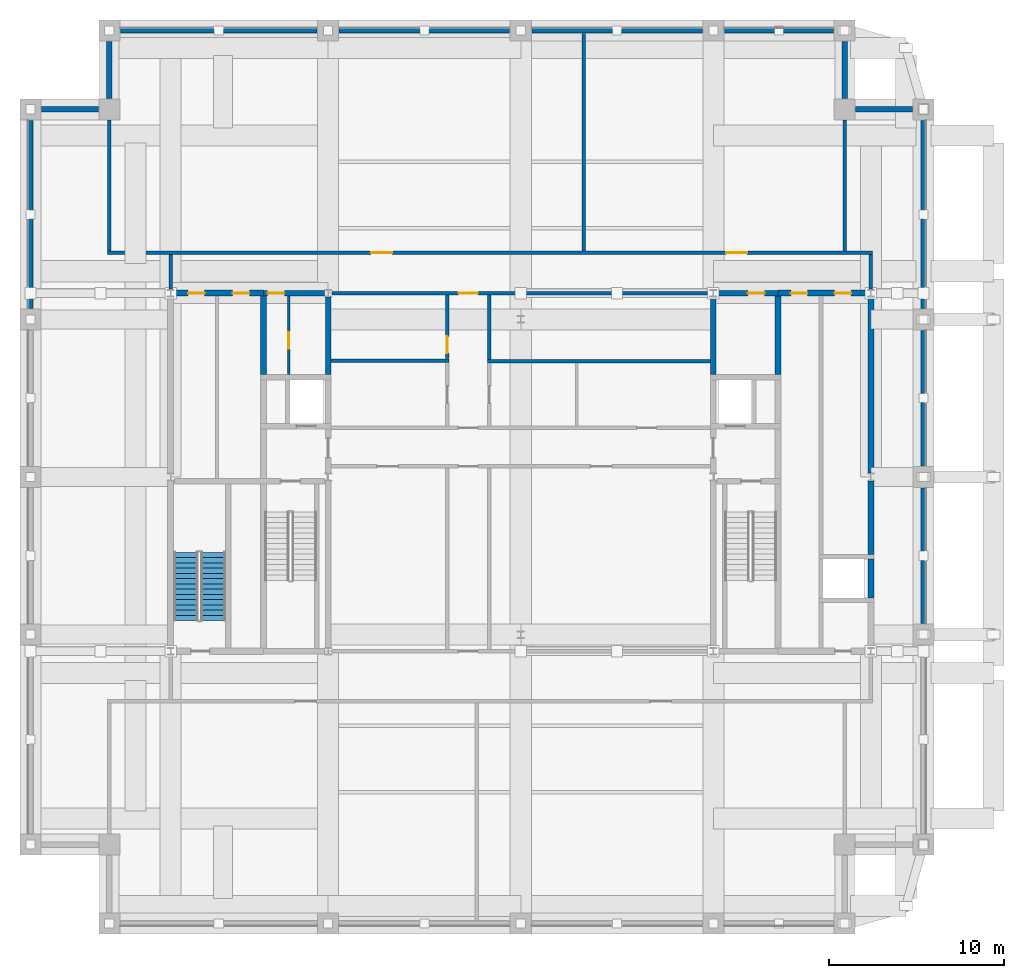
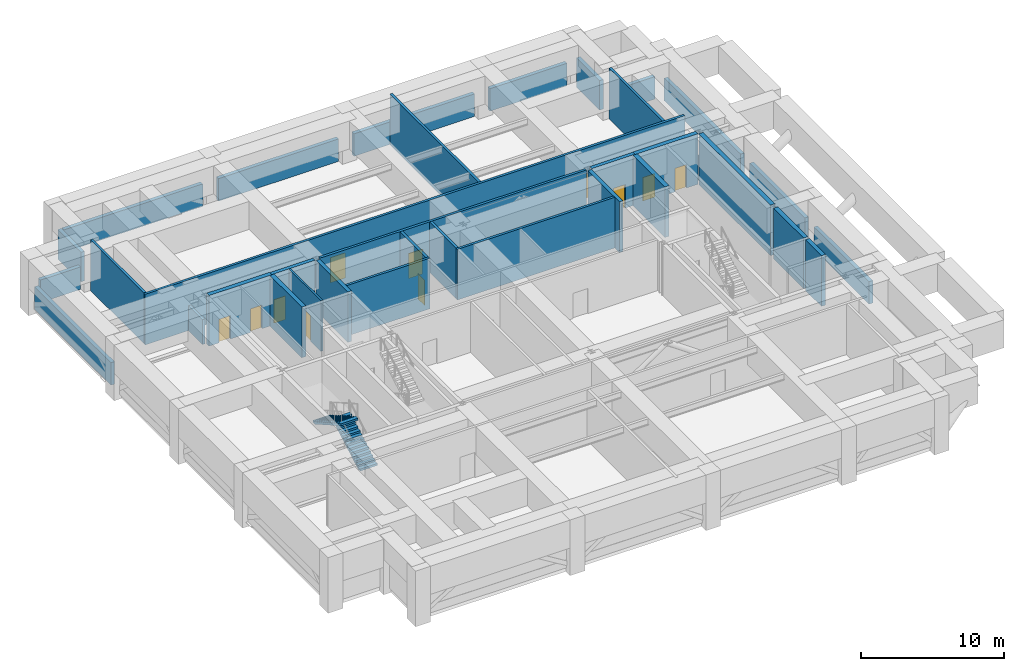
# One storey, part 5 of 10: 35 walls, 11 doors, 2 stair flights, 11 openings, 1 element without a shape of its own.
"""IFC4 building model written with IfcOpenShell, lengths in metres."""

from ifc_helpers import new_model, si_unit, direction, frame, frame_2d, origin, place, context, subcontext, project, spatial, polyline, rectangle, outline, extrude, material, layer, layer_set, type_object, element, fill, aggregate, save


model = new_model("IFC4")

# Units and contexts
model_context = context("Model", 3, precision=1e-05, world=origin(), true_north=direction((0.0, 1.0)))
body_context = subcontext(model_context, "Body", "Model", "MODEL_VIEW")
ifc_project = project(units=[si_unit("LENGTHUNIT", "METRE"), si_unit("AREAUNIT", "SQUARE_METRE"), si_unit("VOLUMEUNIT", "CUBIC_METRE"), si_unit("PLANEANGLEUNIT", "RADIAN"), si_unit("MASSUNIT", "GRAM", prefix="KILO")], contexts=[model_context])

# Site, building, storey
site_placement = place(None, origin())
site = spatial("IfcSite", under=ifc_project, at=site_placement, CompositionType="ELEMENT")
building_placement = place(site_placement, origin())
building = spatial("IfcBuilding", under=site, at=building_placement, Name="Zulmaris Gate Convention Tower", CompositionType="ELEMENT")
storey_placement = place(building_placement, frame((0.0, 0.0, 153.47998046875)))
storey = spatial("IfcBuildingStorey", under=building, at=storey_placement, Name="L39", CompositionType="ELEMENT", Elevation=153.47998046875)

# Wall, opening, door
ifc_material_1 = material(Name="Concrete C50/60", Category="concrete")
ifc_layer_1 = layer(ifc_material_1, 0.300048828125, Name="Concrete C50/60")
ifc_layer_set_1 = layer_set([ifc_layer_1], Name="Concrete C50/60")
wall_type_1 = type_object("IfcWallType", Name="CORE-300", PredefinedType="SHEAR", material=ifc_layer_set_1)
wall_1_placement = place(storey_placement, frame((-14.699951171875, 10.5, 0.0), z_axis=(0.0, 0.0, 1.0), x_axis=(1.0, 0.0, 0.0)))
wall_1 = element("IfcWall", 1, at=wall_1_placement, inside=storey, type_object=wall_type_1, Name="WL-L39-014", PredefinedType="SHEAR", context=body_context, shape_type="SweptSolid", body=[
    extrude(rectangle(XDim=3.489990234375, YDim=0.300048828125, at=frame_2d((1.7451171875, 0.0))), origin(), (0.0, 0.0, 1.0), 4.334716796875),
])
opening_1_placement = place(wall_1_placement, frame((0.2451171875, 0.0, 0.0)))
opening_1 = element("IfcOpeningElement", 2, at=opening_1_placement, cuts=wall_1, Name="Opening D-25", PredefinedType="OPENING", context=body_context, shape_type="SweptSolid", body=[
    extrude(rectangle(XDim=0.949951171875, YDim=2.02001953125, at=frame_2d((0.47509765625, 1.010009765625))), frame((0.0, 0.16015625, 0.0), z_axis=(0.0, -1.0, 0.0), x_axis=(1.0, 0.0, 0.0)), (0.0, 0.0, 1.0), 0.320068359375),
])
ifc_material_2 = material(Name="Fire-Rated Steel", Category="steel")
door_type_1 = type_object("IfcDoorType", Name="DR-950-LOW-FD", OperationType="NOTDEFINED", PredefinedType="DOOR", material=ifc_material_2)
door_1_placement = place(opening_1_placement, origin())
door_1 = element("IfcDoor", 3, at=door_1_placement, inside=storey, type_object=door_type_1, Name="L39 Core Mail Room Door 07", OperationType="SINGLE_SWING_LEFT", OverallHeight=2.02001953125, OverallWidth=0.949951171875, PredefinedType="DOOR", context=body_context, shape_type="SweptSolid", body=[
    extrude(rectangle(XDim=0.949951171875, YDim=2.02001953125, at=frame_2d((0.47509765625, 1.010009765625))), frame((0.0, 0.02490234375, 0.0), z_axis=(0.0, -1.0, 0.0), x_axis=(1.0, 0.0, 0.0)), (0.0, 0.0, 1.0), 0.050048828125),
])
fill(opening_1, door_1)

wall_2_placement = place(storey_placement, frame((11.2099609375, 10.5, 0.0), z_axis=(0.0, 0.0, 1.0), x_axis=(1.0, 0.0, 0.0)))
wall_2 = element("IfcWall", 4, at=wall_2_placement, inside=storey, type_object=wall_type_1, Name="WL-L39-015", PredefinedType="SHEAR", context=body_context, shape_type="SweptSolid", body=[
    extrude(rectangle(XDim=3.489990234375, YDim=0.300048828125, at=frame_2d((1.7451171875, 0.0))), origin(), (0.0, 0.0, 1.0), 4.334716796875),
])
opening_2_placement = place(wall_2_placement, frame((1.764892578125, 0.0, 0.0)))
opening_2 = element("IfcOpeningElement", 5, at=opening_2_placement, cuts=wall_2, Name="Opening D-25", PredefinedType="OPENING", context=body_context, shape_type="SweptSolid", body=[
    extrude(rectangle(XDim=0.949951171875, YDim=2.02001953125, at=frame_2d((0.47509765625, 1.010009765625))), frame((0.0, 0.16015625, 0.0), z_axis=(0.0, -1.0, 0.0), x_axis=(1.0, 0.0, 0.0)), (0.0, 0.0, 1.0), 0.320068359375),
])
door_2_placement = place(opening_2_placement, origin())
door_2 = element("IfcDoor", 6, at=door_2_placement, inside=storey, type_object=door_type_1, Name="L39 Core Tea Pantry Door 09", OperationType="SINGLE_SWING_LEFT", OverallHeight=2.02001953125, OverallWidth=0.949951171875, PredefinedType="DOOR", context=body_context, shape_type="SweptSolid", body=[
    extrude(rectangle(XDim=0.949951171875, YDim=2.02001953125, at=frame_2d((0.47509765625, 1.010009765625))), frame((0.0, 0.02490234375, 0.0), z_axis=(0.0, -1.0, 0.0), x_axis=(1.0, 0.0, 0.0)), (0.0, 0.0, 1.0), 0.050048828125),
])
fill(opening_2, door_2)

# Walls
for number, where, z_axis, x_axis, name in (
    (7, (-11.0, 5.85205078125, 0.0), (0.0, 0.0, 1.0), (0.0, 1.0, 0.0), "WL-L39-037"),
    (8, (11.0, 5.85205078125, 0.0), (0.0, 0.0, 1.0), (0.0, 1.0, 0.0), "WL-L39-041"),
):
    element("IfcWall", number, at=place(storey_placement, frame(where, z_axis=z_axis, x_axis=x_axis)), inside=storey, type_object=wall_type_1, Name=name, PredefinedType="SHEAR", context=body_context, shape_type="SweptSolid", body=[
        extrude(rectangle(XDim=4.426513671875, YDim=0.300048828125, at=frame_2d((2.21337890625, 0.0))), origin(), (0.0, 0.0, 1.0), 4.334716796875),
    ])

# Wall, openings, doors
ifc_material_3 = material(Name="Concrete C55/67", Category="concrete")
ifc_layer_2 = layer(ifc_material_3, 0.35009765625, Name="Concrete C55/67")
ifc_layer_set_2 = layer_set([ifc_layer_2], Name="Concrete C55/67")
wall_type_2 = type_object("IfcWallType", Name="CORE-350", PredefinedType="SHEAR", material=ifc_layer_set_2)
wall_3_placement = place(storey_placement, frame((-19.7900390625, 10.5, 0.0), z_axis=(0.0, 0.0, 1.0), x_axis=(1.0, 0.0, 0.0)))
wall_3 = element("IfcWall", 9, at=wall_3_placement, inside=storey, type_object=wall_type_2, Name="WL-L39-013", PredefinedType="SHEAR", context=body_context, shape_type="SweptSolid", body=[
    extrude(rectangle(XDim=5.090087890625, YDim=0.35009765625, at=frame_2d((2.544921875, 0.0))), origin(), (0.0, 0.0, 1.0), 4.334716796875),
])
opening_3_placement = place(wall_3_placement, frame((0.7900390625, 0.0, 0.0)))
opening_3 = element("IfcOpeningElement", 10, at=opening_3_placement, cuts=wall_3, Name="Opening D-25", PredefinedType="OPENING", context=body_context, shape_type="SweptSolid", body=[
    extrude(rectangle(XDim=0.949951171875, YDim=2.02001953125, at=frame_2d((0.47509765625, 1.010009765625))), frame((0.0, 0.18505859375, 0.0), z_axis=(0.0, -1.0, 0.0), x_axis=(1.0, 0.0, 0.0)), (0.0, 0.0, 1.0), 0.3701171875),
])
opening_4_placement = place(wall_3_placement, frame((3.340087890625, 0.0, 0.0)))
opening_4 = element("IfcOpeningElement", 11, at=opening_4_placement, cuts=wall_3, Name="Opening D-25", PredefinedType="OPENING", context=body_context, shape_type="SweptSolid", body=[
    extrude(rectangle(XDim=0.949951171875, YDim=2.02001953125, at=frame_2d((0.47509765625, 1.010009765625))), frame((0.0, 0.18505859375, 0.0), z_axis=(0.0, -1.0, 0.0), x_axis=(1.0, 0.0, 0.0)), (0.0, 0.0, 1.0), 0.3701171875),
])
door_3_placement = place(opening_3_placement, origin())
door_3 = element("IfcDoor", 12, at=door_3_placement, inside=storey, type_object=door_type_1, Name="L39 Server Room Door 11", OperationType="SINGLE_SWING_LEFT", OverallHeight=2.02001953125, OverallWidth=0.949951171875, PredefinedType="DOOR", context=body_context, shape_type="SweptSolid", body=[
    extrude(rectangle(XDim=0.949951171875, YDim=2.02001953125, at=frame_2d((0.47509765625, 1.010009765625))), frame((0.0, 0.02490234375, 0.0), z_axis=(0.0, -1.0, 0.0), x_axis=(1.0, 0.0, 0.0)), (0.0, 0.0, 1.0), 0.050048828125),
])
fill(opening_3, door_3)
door_4_placement = place(opening_4_placement, origin())
door_4 = element("IfcDoor", 13, at=door_4_placement, inside=storey, type_object=door_type_1, Name="L39 Reclaimed Pantry Door 12", OperationType="SINGLE_SWING_RIGHT", OverallHeight=2.02001953125, OverallWidth=0.949951171875, PredefinedType="DOOR", context=body_context, shape_type="SweptSolid", body=[
    extrude(rectangle(XDim=0.949951171875, YDim=2.02001953125, at=frame_2d((0.47509765625, 1.010009765625))), frame((0.0, 0.02490234375, 0.0), z_axis=(0.0, -1.0, 0.0), x_axis=(1.0, 0.0, 0.0)), (0.0, 0.0, 1.0), 0.050048828125),
])
fill(opening_4, door_4)

wall_4_placement = place(storey_placement, frame((14.699951171875, 10.5, 0.0), z_axis=(0.0, 0.0, 1.0), x_axis=(1.0, 0.0, 0.0)))
wall_4 = element("IfcWall", 14, at=wall_4_placement, inside=storey, type_object=wall_type_2, Name="WL-L39-016", PredefinedType="SHEAR", context=body_context, shape_type="SweptSolid", body=[
    extrude(rectangle(XDim=5.090087890625, YDim=0.35009765625, at=frame_2d((2.544921875, 0.0))), origin(), (0.0, 0.0, 1.0), 4.334716796875),
])
opening_5_placement = place(wall_4_placement, frame((0.72509765625, 0.0, 0.0)))
opening_5 = element("IfcOpeningElement", 15, at=opening_5_placement, cuts=wall_4, Name="Opening D-25", PredefinedType="OPENING", context=body_context, shape_type="SweptSolid", body=[
    extrude(rectangle(XDim=0.949951171875, YDim=2.02001953125, at=frame_2d((0.47509765625, 1.010009765625))), frame((0.0, 0.18505859375, 0.0), z_axis=(0.0, -1.0, 0.0), x_axis=(1.0, 0.0, 0.0)), (0.0, 0.0, 1.0), 0.3701171875),
])
opening_6_placement = place(wall_4_placement, frame((3.22509765625, 0.0, 0.0)))
opening_6 = element("IfcOpeningElement", 16, at=opening_6_placement, cuts=wall_4, Name="Opening D-25", PredefinedType="OPENING", context=body_context, shape_type="SweptSolid", body=[
    extrude(rectangle(XDim=0.949951171875, YDim=2.02001953125, at=frame_2d((0.47509765625, 1.010009765625))), frame((0.0, 0.18505859375, 0.0), z_axis=(0.0, -1.0, 0.0), x_axis=(1.0, 0.0, 0.0)), (0.0, 0.0, 1.0), 0.3701171875),
])
door_5_placement = place(opening_5_placement, origin())
door_5 = element("IfcDoor", 17, at=door_5_placement, inside=storey, type_object=door_type_1, Name="L39 Mid-Rise Motor Room Door 13", OperationType="SINGLE_SWING_LEFT", OverallHeight=2.02001953125, OverallWidth=0.949951171875, PredefinedType="DOOR", context=body_context, shape_type="SweptSolid", body=[
    extrude(rectangle(XDim=0.949951171875, YDim=2.02001953125, at=frame_2d((0.47509765625, 1.010009765625))), frame((0.0, 0.02490234375, 0.0), z_axis=(0.0, -1.0, 0.0), x_axis=(1.0, 0.0, 0.0)), (0.0, 0.0, 1.0), 0.050048828125),
])
fill(opening_5, door_5)
door_6_placement = place(opening_6_placement, origin())
door_6 = element("IfcDoor", 18, at=door_6_placement, inside=storey, type_object=door_type_1, Name="L39 East Vent Plant Door 14", OperationType="SINGLE_SWING_RIGHT", OverallHeight=2.02001953125, OverallWidth=0.949951171875, PredefinedType="DOOR", context=body_context, shape_type="SweptSolid", body=[
    extrude(rectangle(XDim=0.949951171875, YDim=2.02001953125, at=frame_2d((0.47509765625, 1.010009765625))), frame((0.0, 0.02490234375, 0.0), z_axis=(0.0, -1.0, 0.0), x_axis=(1.0, 0.0, 0.0)), (0.0, 0.0, 1.0), 0.050048828125),
])
fill(opening_6, door_6)

# Walls
for number, where, z_axis, x_axis, name in (
    (19, (-14.699951171875, 5.85205078125, 0.0), (0.0, 0.0, 1.0), (0.0, 1.0, 0.0), "WL-L39-031"),
    (20, (14.699951171875, 5.85205078125, 0.0), (0.0, 0.0, 1.0), (0.0, 1.0, 0.0), "WL-L39-047"),
):
    element("IfcWall", number, at=place(storey_placement, frame(where, z_axis=z_axis, x_axis=x_axis)), inside=storey, type_object=wall_type_2, Name=name, PredefinedType="SHEAR", context=body_context, shape_type="SweptSolid", body=[
        extrude(rectangle(XDim=4.470947265625, YDim=0.35009765625, at=frame_2d((2.2353515625, 0.0))), origin(), (0.0, 0.0, 1.0), 4.334716796875),
    ])
wall_5_placement = place(storey_placement, frame((20.0, -6.923095703125, 0.0), z_axis=(0.0, 0.0, 1.0), x_axis=(0.0, 1.0, 0.0)))
element("IfcWall", 21, at=wall_5_placement, inside=storey, type_object=wall_type_2, Name="WL-L39-052", PredefinedType="SHEAR", context=body_context, shape_type="SweptSolid", body=[
    extrude(rectangle(XDim=2.24609375, YDim=0.35009765625, at=frame_2d((1.123046875, 0.0))), origin(), (0.0, 0.0, 1.0), 4.334716796875),
])
wall_6_placement = place(storey_placement, frame((20.0, -4.423095703125, 0.0), z_axis=(0.0, 0.0, 1.0), x_axis=(0.0, 1.0, 0.0)))
element("IfcWall", 22, at=wall_6_placement, inside=storey, type_object=wall_type_2, Name="WL-L39-053", PredefinedType="SHEAR", context=body_context, shape_type="SweptSolid", body=[
    extrude(rectangle(XDim=4.20166015625, YDim=0.35009765625, at=frame_2d((2.100830078125, 0.0))), origin(), (0.0, 0.0, 1.0), 4.334716796875),
])
wall_7_placement = place(storey_placement, frame((20.0, 0.221435546875, 0.0), z_axis=(0.0, 0.0, 1.0), x_axis=(0.0, 1.0, 0.0)))
element("IfcWall", 23, at=wall_7_placement, inside=storey, type_object=wall_type_2, Name="WL-L39-053S1", PredefinedType="SHEAR", context=body_context, shape_type="SweptSolid", body=[
    extrude(rectangle(XDim=10.05712890625, YDim=0.35009765625, at=frame_2d((5.028564453125, 0.0))), origin(), (0.0, 0.0, 1.0), 4.334716796875),
])

# Wall, opening, door
ifc_material_4 = material(Name="Gypsum Metal Stud Partition")
ifc_layer_3 = layer(ifc_material_4, 0.14990234375, Name="Gypsum Metal Stud Partition")
ifc_layer_set_3 = layer_set([ifc_layer_3], Name="Gypsum Metal Stud Partition")
wall_type_3 = type_object("IfcWallType", Name="PART-150", PredefinedType="PARTITIONING", material=ifc_layer_set_3)
wall_8_placement = place(storey_placement, frame((-13.25, 5.85302734375, 0.0), z_axis=(0.0, 0.0, 1.0), x_axis=(0.0, 1.0, 0.0)))
wall_8 = element("IfcWall", 24, at=wall_8_placement, inside=storey, type_object=wall_type_3, Name="WL-L39-059", PredefinedType="PARTITIONING", context=body_context, shape_type="SweptSolid", body=[
    extrude(rectangle(XDim=4.493896484375, YDim=0.14990234375, at=frame_2d((2.2470703125, 0.0))), origin(), (0.0, 0.0, 1.0), 4.334716796875),
])
opening_7_placement = place(wall_8_placement, frame((1.471923828125, 0.0, 0.0)))
opening_7 = element("IfcOpeningElement", 25, at=opening_7_placement, cuts=wall_8, Name="Opening D-11", PredefinedType="OPENING", context=body_context, shape_type="SweptSolid", body=[
    extrude(rectangle(XDim=0.949951171875, YDim=2.14990234375, at=frame_2d((0.47509765625, 1.074951171875))), frame((0.0, 0.0849609375, 0.0), z_axis=(0.0, -1.0, 0.0), x_axis=(1.0, 0.0, 0.0)), (0.0, 0.0, 1.0), 0.169921875),
])
ifc_material_5 = material(Name="Fire-Rated Timber", Category="wood")
door_type_2 = type_object("IfcDoorType", Name="DR-950-FD", OperationType="NOTDEFINED", PredefinedType="DOOR", material=ifc_material_5)
door_7_placement = place(opening_7_placement, origin())
door_7 = element("IfcDoor", 26, at=door_7_placement, inside=storey, type_object=door_type_2, Name="L39 Core Janitor Door 08", OperationType="SINGLE_SWING_RIGHT", OverallHeight=2.14990234375, OverallWidth=0.949951171875, PredefinedType="DOOR", context=body_context, shape_type="SweptSolid", body=[
    extrude(rectangle(XDim=0.949951171875, YDim=2.14990234375, at=frame_2d((0.47509765625, 1.074951171875))), frame((0.0, 0.02490234375, 0.0), z_axis=(0.0, -1.0, 0.0), x_axis=(1.0, 0.0, 0.0)), (0.0, 0.0, 1.0), 0.050048828125),
])
fill(opening_7, door_7)

# Walls
ifc_material_6 = material(Name="Autoclaved Aerated Concrete Block and Plasterboard", Category="concrete")
ifc_layer_4 = layer(ifc_material_6, 0.199951171875, Name="Autoclaved Aerated Concrete Block and Plasterboard")
ifc_layer_set_4 = layer_set([ifc_layer_4], Name="Autoclaved Aerated Concrete Block and Plasterboard")
wall_type_4 = type_object("IfcWallType", Name="PART-200", PredefinedType="PARTITIONING", material=ifc_layer_set_4)
wall_9_placement = place(storey_placement, frame((-1.89990234375, 6.60009765625, 0.0), z_axis=(0.0, 0.0, 1.0), x_axis=(1.0, 0.0, 0.0)))
element("IfcWall", 27, at=wall_9_placement, inside=storey, type_object=wall_type_4, Name="WL-L39-021", PredefinedType="PARTITIONING", context=body_context, shape_type="SweptSolid", body=[
    extrude(rectangle(XDim=12.746826171875, YDim=0.199951171875, at=frame_2d((6.37353515625, 0.0))), origin(), (0.0, 0.0, 1.0), 4.334716796875),
])
wall_10_placement = place(storey_placement, frame((-10.846923828125, 6.64990234375, 0.0), z_axis=(0.0, 0.0, 1.0), x_axis=(1.0, 0.0, 0.0)))
element("IfcWall", 28, at=wall_10_placement, inside=storey, type_object=wall_type_4, Name="WL-L39-022", PredefinedType="PARTITIONING", context=body_context, shape_type="SweptSolid", body=[
    extrude(rectangle(XDim=6.746826171875, YDim=0.199951171875, at=frame_2d((3.37353515625, 0.0))), origin(), (0.0, 0.0, 1.0), 4.334716796875),
])

# Wall, opening, door
wall_11_placement = place(storey_placement, frame((-10.7880859375, 10.5, 0.0), z_axis=(0.0, 0.0, 1.0), x_axis=(1.0, 0.0, 0.0)))
wall_11 = element("IfcWall", 29, at=wall_11_placement, inside=storey, type_object=wall_type_4, Name="WL-L39-023", PredefinedType="PARTITIONING", context=body_context, shape_type="SweptSolid", body=[
    extrude(rectangle(XDim=21.576171875, YDim=0.199951171875, at=frame_2d((10.7880859375, 0.0))), origin(), (0.0, 0.0, 1.0), 4.334716796875),
])
opening_8_placement = place(wall_11_placement, frame((7.238037109375, 0.0, 0.0)))
opening_8 = element("IfcOpeningElement", 30, at=opening_8_placement, cuts=wall_11, Name="Opening D-08", PredefinedType="OPENING", context=body_context, shape_type="SweptSolid", body=[
    extrude(rectangle(XDim=1.10009765625, YDim=2.14990234375, at=frame_2d((0.550048828125, 1.074951171875))), frame((0.0, 0.10986328125, 0.0), z_axis=(0.0, -1.0, 0.0), x_axis=(1.0, 0.0, 0.0)), (0.0, 0.0, 1.0), 0.219970703125),
])
door_type_3 = type_object("IfcDoorType", Name="DR-1100-FD", OperationType="NOTDEFINED", PredefinedType="DOOR", material=ifc_material_2)
door_8_placement = place(opening_8_placement, origin())
door_8 = element("IfcDoor", 31, at=door_8_placement, inside=storey, type_object=door_type_3, Name="L39 North Cross Corridor Link Door 17", OperationType="SINGLE_SWING_LEFT", OverallHeight=2.14990234375, OverallWidth=1.10009765625, PredefinedType="DOOR", context=body_context, shape_type="SweptSolid", body=[
    extrude(rectangle(XDim=1.10009765625, YDim=2.14990234375, at=frame_2d((0.550048828125, 1.074951171875))), frame((0.0, 0.02490234375, 0.0), z_axis=(0.0, -1.0, 0.0), x_axis=(1.0, 0.0, 0.0)), (0.0, 0.0, 1.0), 0.050048828125),
])
fill(opening_8, door_8)

# Wall, openings, doors
wall_12_placement = place(storey_placement, frame((-23.60009765625, 12.800048828125, 0.0), z_axis=(0.0, 0.0, 1.0), x_axis=(1.0, 0.0, 0.0)))
wall_12 = element("IfcWall", 32, at=wall_12_placement, inside=storey, type_object=wall_type_4, Name="WL-L39-024", PredefinedType="PARTITIONING", context=body_context, shape_type="SweptSolid", body=[
    extrude(rectangle(XDim=43.7001953125, YDim=0.199951171875, at=frame_2d((21.85009765625, 0.0))), origin(), (0.0, 0.0, 1.0), 4.334716796875),
])
opening_9_placement = place(wall_12_placement, frame((15.050048828125, 0.0, 0.0)))
opening_9 = element("IfcOpeningElement", 33, at=opening_9_placement, cuts=wall_12, Name="Opening D-13", PredefinedType="OPENING", context=body_context, shape_type="SweptSolid", body=[
    extrude(rectangle(XDim=1.199951171875, YDim=2.14990234375, at=frame_2d((0.60009765625, 1.074951171875))), frame((0.0, 0.10986328125, 0.0), z_axis=(0.0, -1.0, 0.0), x_axis=(1.0, 0.0, 0.0)), (0.0, 0.0, 1.0), 0.219970703125),
])
opening_10_placement = place(wall_12_placement, frame((35.330078125, 0.0, 0.0)))
opening_10 = element("IfcOpeningElement", 34, at=opening_10_placement, cuts=wall_12, Name="Opening D-13", PredefinedType="OPENING", context=body_context, shape_type="SweptSolid", body=[
    extrude(rectangle(XDim=1.199951171875, YDim=2.14990234375, at=frame_2d((0.60009765625, 1.074951171875))), frame((0.0, 0.10986328125, 0.0), z_axis=(0.0, -1.0, 0.0), x_axis=(1.0, 0.0, 0.0)), (0.0, 0.0, 1.0), 0.219970703125),
])
door_type_4 = type_object("IfcDoorType", Name="DR-1200-FD", OperationType="NOTDEFINED", PredefinedType="DOOR", material=ifc_material_2)
door_9_placement = place(opening_9_placement, origin())
door_9 = element("IfcDoor", 35, at=door_9_placement, inside=storey, type_object=door_type_4, Name="L39 Chiller Plant Door 22", OperationType="SINGLE_SWING_RIGHT", OverallHeight=2.14990234375, OverallWidth=1.199951171875, PredefinedType="DOOR", context=body_context, shape_type="SweptSolid", body=[
    extrude(rectangle(XDim=1.199951171875, YDim=2.14990234375, at=frame_2d((0.60009765625, 1.074951171875))), frame((0.0, 0.02490234375, 0.0), z_axis=(0.0, -1.0, 0.0), x_axis=(1.0, 0.0, 0.0)), (0.0, 0.0, 1.0), 0.050048828125),
])
fill(opening_9, door_9)
door_10_placement = place(opening_10_placement, origin())
door_10 = element("IfcDoor", 36, at=door_10_placement, inside=storey, type_object=door_type_4, Name="L39 AHU Plant Door 23", OperationType="SINGLE_SWING_LEFT", OverallHeight=2.14990234375, OverallWidth=1.199951171875, PredefinedType="DOOR", context=body_context, shape_type="SweptSolid", body=[
    extrude(rectangle(XDim=1.199951171875, YDim=2.14990234375, at=frame_2d((0.60009765625, 1.074951171875))), frame((0.0, 0.02490234375, 0.0), z_axis=(0.0, -1.0, 0.0), x_axis=(1.0, 0.0, 0.0)), (0.0, 0.0, 1.0), 0.050048828125),
])
fill(opening_10, door_10)

# Walls
wall_13_placement = place(storey_placement, frame((-23.5, 12.903076171875, 0.0), z_axis=(0.0, 0.0, 1.0), x_axis=(0.0, 1.0, 0.0)))
element("IfcWall", 37, at=wall_13_placement, inside=storey, type_object=wall_type_4, Name="WL-L39-055", PredefinedType="PARTITIONING", context=body_context, shape_type="SweptSolid", body=[
    extrude(rectangle(XDim=7.490966796875, YDim=0.199951171875, at=frame_2d((3.74560546875, 0.0))), origin(), (0.0, 0.0, 1.0), 4.334716796875),
])
wall_14_placement = place(storey_placement, frame((-20.0, 10.723388671875, 0.0), z_axis=(0.0, 0.0, 1.0), x_axis=(0.0, 1.0, 0.0)))
element("IfcWall", 38, at=wall_14_placement, inside=storey, type_object=wall_type_4, Name="WL-L39-057", PredefinedType="PARTITIONING", context=body_context, shape_type="SweptSolid", body=[
    extrude(rectangle(XDim=1.9736328125, YDim=0.199951171875, at=frame_2d((0.98681640625, 0.0))), origin(), (0.0, 0.0, 1.0), 2.126708984375),
])

# Wall, opening, door
wall_15_placement = place(storey_placement, frame((-4.199951171875, 6.7529296875, 0.0), z_axis=(0.0, 0.0, 1.0), x_axis=(0.0, 1.0, 0.0)))
wall_15 = element("IfcWall", 39, at=wall_15_placement, inside=storey, type_object=wall_type_4, Name="WL-L39-062", PredefinedType="PARTITIONING", context=body_context, shape_type="SweptSolid", body=[
    extrude(rectangle(XDim=3.64404296875, YDim=0.199951171875, at=frame_2d((1.822021484375, 0.0))), origin(), (0.0, 0.0, 1.0), 4.334716796875),
])
opening_11_placement = place(wall_15_placement, frame((0.322021484375, 0.0, 0.0)))
opening_11 = element("IfcOpeningElement", 40, at=opening_11_placement, cuts=wall_15, Name="Opening D-11", PredefinedType="OPENING", context=body_context, shape_type="SweptSolid", body=[
    extrude(rectangle(XDim=0.949951171875, YDim=2.14990234375, at=frame_2d((0.47509765625, 1.074951171875))), frame((0.0, 0.10986328125, 0.0), z_axis=(0.0, -1.0, 0.0), x_axis=(1.0, 0.0, 0.0)), (0.0, 0.0, 1.0), 0.219970703125),
])
door_11_placement = place(opening_11_placement, origin())
door_11 = element("IfcDoor", 41, at=door_11_placement, inside=storey, type_object=door_type_2, Name="L39 Smoke Fan Plant Door 27", OperationType="SINGLE_SWING_LEFT", OverallHeight=2.14990234375, OverallWidth=0.949951171875, PredefinedType="DOOR", context=body_context, shape_type="SweptSolid", body=[
    extrude(rectangle(XDim=0.949951171875, YDim=2.14990234375, at=frame_2d((0.47509765625, 1.074951171875))), frame((0.0, 0.02490234375, 0.0), z_axis=(0.0, -1.0, 0.0), x_axis=(1.0, 0.0, 0.0)), (0.0, 0.0, 1.0), 0.050048828125),
])
fill(opening_11, door_11)

# Walls
wall_16_placement = place(storey_placement, frame((-1.800048828125, 6.702880859375, 0.0), z_axis=(0.0, 0.0, 1.0), x_axis=(0.0, 1.0, 0.0)))
element("IfcWall", 42, at=wall_16_placement, inside=storey, type_object=wall_type_4, Name="WL-L39-066", PredefinedType="PARTITIONING", context=body_context, shape_type="SweptSolid", body=[
    extrude(rectangle(XDim=3.694091796875, YDim=0.199951171875, at=frame_2d((1.84716796875, 0.0))), origin(), (0.0, 0.0, 1.0), 4.334716796875),
])
wall_17_placement = place(storey_placement, frame((3.60009765625, 12.903076171875, 0.0), z_axis=(0.0, 0.0, 1.0), x_axis=(0.0, 1.0, 0.0)))
element("IfcWall", 43, at=wall_17_placement, inside=storey, type_object=wall_type_4, Name="WL-L39-068", PredefinedType="PARTITIONING", context=body_context, shape_type="SweptSolid", body=[
    extrude(rectangle(XDim=12.431884765625, YDim=0.199951171875, at=frame_2d((6.2158203125, 0.0))), origin(), (0.0, 0.0, 1.0), 4.334716796875),
])
wall_18_placement = place(storey_placement, frame((18.5, 12.903076171875, 0.0), z_axis=(0.0, 0.0, 1.0), x_axis=(0.0, 1.0, 0.0)))
element("IfcWall", 44, at=wall_18_placement, inside=storey, type_object=wall_type_4, Name="WL-L39-070", PredefinedType="PARTITIONING", context=body_context, shape_type="SweptSolid", body=[
    extrude(rectangle(XDim=7.490966796875, YDim=0.199951171875, at=frame_2d((3.74560546875, 0.0))), origin(), (0.0, 0.0, 1.0), 4.334716796875),
])
wall_19_placement = place(storey_placement, frame((20.0, 10.723388671875, 0.0), z_axis=(0.0, 0.0, 1.0), x_axis=(0.0, 1.0, 0.0)))
element("IfcWall", 45, at=wall_19_placement, inside=storey, type_object=wall_type_4, Name="WL-L39-072", PredefinedType="PARTITIONING", context=body_context, shape_type="SweptSolid", body=[
    extrude(rectangle(XDim=1.9736328125, YDim=0.199951171875, at=frame_2d((0.98681640625, 0.0))), origin(), (0.0, 0.0, 1.0), 2.126708984375),
])
ifc_material_7 = material(Name="Precast concrete C40/50", Category="concrete")
ifc_layer_5 = layer(ifc_material_7, 0.300048828125, Name="Precast concrete C40/50")
ifc_layer_set_5 = layer_set([ifc_layer_5], Name="Precast concrete C40/50")
wall_type_5 = type_object("IfcWallType", Name="PRECAST-PIER-300", PredefinedType="STANDARD", material=ifc_layer_set_5)
wall_20_placement = place(storey_placement, frame((22.3701171875, 21.0, 0.0), z_axis=(0.0, 0.0, 1.0), x_axis=(-1.0, 0.0, 0.0)))
element("IfcWall", 46, at=wall_20_placement, inside=storey, type_object=wall_type_5, Name="EW-L39-NOTCH-NE1_0", PredefinedType="STANDARD", context=body_context, shape_type="SweptSolid", body=[
    extrude(rectangle(XDim=3.240234375, YDim=0.300048828125, at=frame_2d((1.6201171875, 0.0))), origin(), (0.0, 0.0, 1.0), 1.9267578125),
])
for number, where, z_axis, x_axis, name in (
    (47, (18.5, 21.6298828125, 0.0), (0.0, 0.0, 1.0), (0.0, 1.0, 0.0), "EW-L39-NOTCH-NE2_0"),
    (48, (-23.5, 24.8701171875, 0.0), (0.0, 0.0, 1.0), (0.0, -1.0, 0.0), "EW-L39-NOTCH-NW1_0"),
):
    element("IfcWall", number, at=place(storey_placement, frame(where, z_axis=z_axis, x_axis=x_axis)), inside=storey, type_object=wall_type_5, Name=name, PredefinedType="STANDARD", context=body_context, shape_type="SweptSolid", body=[
        extrude(rectangle(XDim=3.240234375, YDim=0.300048828125, at=frame_2d((1.6201171875, 0.0))), origin(), (0.0, 0.0, 1.0), 2.526611328125),
    ])
wall_21_placement = place(storey_placement, frame((-24.1298828125, 21.0, 0.0), z_axis=(0.0, 0.0, 1.0), x_axis=(-1.0, 0.0, 0.0)))
element("IfcWall", 49, at=wall_21_placement, inside=storey, type_object=wall_type_5, Name="EW-L39-NOTCH-NW2_0", PredefinedType="STANDARD", context=body_context, shape_type="SweptSolid", body=[
    extrude(rectangle(XDim=3.240234375, YDim=0.300048828125, at=frame_2d((1.6201171875, 0.0))), origin(), (0.0, 0.0, 1.0), 1.9267578125),
])
wall_22_placement = place(storey_placement, frame((-11.6298828125, 25.5, 0.0), z_axis=(0.0, 0.0, 1.0), x_axis=(-1.0, 0.0, 0.0)))
element("IfcWall", 50, at=wall_22_placement, inside=storey, type_object=wall_type_5, Name="EW-L39-N-0_0", PredefinedType="STANDARD", context=body_context, shape_type="SweptSolid", body=[
    extrude(rectangle(XDim=11.240234375, YDim=0.300048828125, at=frame_2d((5.6201171875, 0.0))), origin(), (0.0, 0.0, 1.0), 1.9267578125),
])
for number, where, z_axis, x_axis, name in (
    (51, (-0.6298828125, 25.5, 0.0), (0.0, 0.0, 1.0), (-1.0, 0.0, 0.0), "EW-L39-N-1_0"),
    (52, (10.3701171875, 25.5, 0.0), (0.0, 0.0, 1.0), (-1.0, 0.0, 0.0), "EW-L39-N-2_0"),
):
    element("IfcWall", number, at=place(storey_placement, frame(where, z_axis=z_axis, x_axis=x_axis)), inside=storey, type_object=wall_type_5, Name=name, PredefinedType="STANDARD", context=body_context, shape_type="SweptSolid", body=[
        extrude(rectangle(XDim=9.740234375, YDim=0.300048828125, at=frame_2d((4.8701171875, 0.0))), origin(), (0.0, 0.0, 1.0), 1.9267578125),
    ])
wall_23_placement = place(storey_placement, frame((17.8701171875, 25.5, 0.0), z_axis=(0.0, 0.0, 1.0), x_axis=(-1.0, 0.0, 0.0)))
element("IfcWall", 53, at=wall_23_placement, inside=storey, type_object=wall_type_5, Name="EW-L39-N-3_0", PredefinedType="STANDARD", context=body_context, shape_type="SweptSolid", body=[
    extrude(rectangle(XDim=6.240234375, YDim=0.300048828125, at=frame_2d((3.1201171875, 0.0))), origin(), (0.0, 0.0, 1.0), 1.9267578125),
])
for number, where, z_axis, x_axis, name in (
    (54, (23.0, -8.3701171875, 0.0), (0.0, 0.0, 1.0), (0.0, 1.0, 0.0), "EW-L39-E-1_0"),
    (55, (23.0, 0.6298828125, 0.0), (0.0, 0.0, 1.0), (0.0, 1.0, 0.0), "EW-L39-E-2_0"),
):
    element("IfcWall", number, at=place(storey_placement, frame(where, z_axis=z_axis, x_axis=x_axis)), inside=storey, type_object=wall_type_5, Name=name, PredefinedType="STANDARD", context=body_context, shape_type="SweptSolid", body=[
        extrude(rectangle(XDim=7.740234375, YDim=0.300048828125, at=frame_2d((3.8701171875, 0.0))), origin(), (0.0, 0.0, 1.0), 1.9267578125),
    ])
for number, where, z_axis, x_axis, name in (
    (56, (23.0, 9.6298828125, 0.0), (0.0, 0.0, 1.0), (0.0, 1.0, 0.0), "EW-L39-E-3_0"),
    (57, (-28.0, 20.3701171875, 0.0), (0.0, 0.0, 1.0), (0.0, -1.0, 0.0), "EW-L39-W-3_0"),
):
    element("IfcWall", number, at=place(storey_placement, frame(where, z_axis=z_axis, x_axis=x_axis)), inside=storey, type_object=wall_type_5, Name=name, PredefinedType="STANDARD", context=body_context, shape_type="SweptSolid", body=[
        extrude(rectangle(XDim=10.740234375, YDim=0.300048828125, at=frame_2d((5.3701171875, 0.0))), origin(), (0.0, 0.0, 1.0), 1.9267578125),
    ])

# Stair, stair flights
ifc_material_8 = material(Name="Concrete C45/55", Category="concrete")
stair_type = type_object("IfcStairType", Name="ST-CORE-DOGLEG", PredefinedType="HALF_TURN_STAIR", material=ifc_material_8)
stair_placement = place(storey_placement, origin())
stair = element("IfcStair", 58, at=stair_placement, inside=storey, type_object=stair_type, Name="L39 Core Exit Stair ST-3", PredefinedType="HALF_TURN_STAIR")
ifc_layer_6 = layer(ifc_material_8, 0.14990234375, Name="Concrete C45/55")
ifc_layer_set_6 = layer_set([ifc_layer_6], Name="Concrete C45/55")
stair_flight_type = type_object("IfcStairFlightType", Name="STF-RC150", PredefinedType="STRAIGHT", material=ifc_layer_set_6)
stair_flight_1_placement = place(storey_placement, frame((-17.56005859375, -8.199951171875, 0.0), z_axis=(0.0, 0.0, 1.0), x_axis=(0.0, 1.0, 0.0)))
stair_flight_1 = element("IfcStairFlight", 59, at=stair_flight_1_placement, type_object=stair_flight_type, Name="ST-3 flight 1", NumberOfRisers=14, NumberOfTreads=13, PredefinedType="STRAIGHT", RiserHeight=0.169989286, TreadLength=0.3, context=body_context, shape_type="SweptSolid", body=[
    extrude(outline(polyline([(0.0, 0.0), (0.0, 0.169921875), (0.300048828125, 0.169921875), (0.300048828125, 0.340087890625), (0.60009765625, 0.340087890625), (0.60009765625, 0.510009765625), (0.89990234375, 0.510009765625), (0.89990234375, 0.679931640625), (1.199951171875, 0.679931640625), (1.199951171875, 0.849853515625), (1.5, 0.849853515625), (1.5, 1.02001953125), (1.800048828125, 1.02001953125), (1.800048828125, 1.18994140625), (2.10009765625, 1.18994140625), (2.10009765625, 1.35986328125), (2.39990234375, 1.35986328125), (2.39990234375, 1.52978515625), (2.699951171875, 1.52978515625), (2.699951171875, 1.699951171875), (3.0, 1.699951171875), (3.0, 1.869873046875), (3.300048828125, 1.869873046875), (3.300048828125, 2.039794921875), (3.60009765625, 2.039794921875), (3.60009765625, 2.2099609375), (3.89990234375, 2.2099609375), (3.89990234375, 2.3798828125), (3.89990234375, 2.03759765625), (0.303955078125, 0.0), (0.0, 0.0)])), frame((0.0, 0.699951171875, 0.0), z_axis=(0.0, -1.0, 0.0), x_axis=(1.0, 0.0, 0.0)), (0.0, 0.0, 1.0), 1.39990234375),
])
stair_flight_2_placement = place(storey_placement, frame((-19.1201171875, -4.300048828125, 2.3798828125), z_axis=(0.0, 0.0, 1.0), x_axis=(0.0, -1.0, 0.0)))
stair_flight_2 = element("IfcStairFlight", 60, at=stair_flight_2_placement, type_object=stair_flight_type, Name="ST-3 flight 2", NumberOfRisers=14, NumberOfTreads=13, PredefinedType="STRAIGHT", RiserHeight=0.169989286, TreadLength=0.3, context=body_context, shape_type="SweptSolid", body=[
    extrude(outline(polyline([(0.0, 0.0), (0.0, 0.169921875), (0.300048828125, 0.169921875), (0.300048828125, 0.340087890625), (0.60009765625, 0.340087890625), (0.60009765625, 0.510009765625), (0.89990234375, 0.510009765625), (0.89990234375, 0.679931640625), (1.199951171875, 0.679931640625), (1.199951171875, 0.849853515625), (1.5, 0.849853515625), (1.5, 1.02001953125), (1.800048828125, 1.02001953125), (1.800048828125, 1.18994140625), (2.10009765625, 1.18994140625), (2.10009765625, 1.35986328125), (2.39990234375, 1.35986328125), (2.39990234375, 1.52978515625), (2.699951171875, 1.52978515625), (2.699951171875, 1.699951171875), (3.0, 1.699951171875), (3.0, 1.869873046875), (3.300048828125, 1.869873046875), (3.300048828125, 2.039794921875), (3.60009765625, 2.039794921875), (3.60009765625, 2.2099609375), (3.89990234375, 2.2099609375), (3.89990234375, 2.3798828125), (3.89990234375, 2.03759765625), (0.303955078125, 0.0), (0.0, 0.0)])), frame((0.0, 0.699951171875, 0.0), z_axis=(0.0, -1.0, 0.0), x_axis=(1.0, 0.0, 0.0)), (0.0, 0.0, 1.0), 1.39990234375),
])
aggregate(stair, [stair_flight_1, stair_flight_2])

save(model, "model.ifc")
